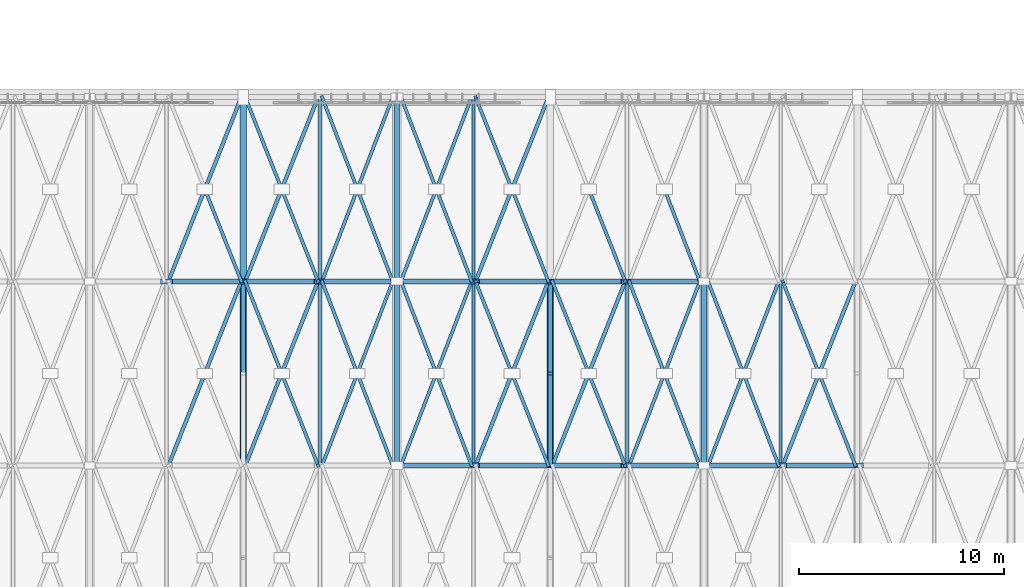
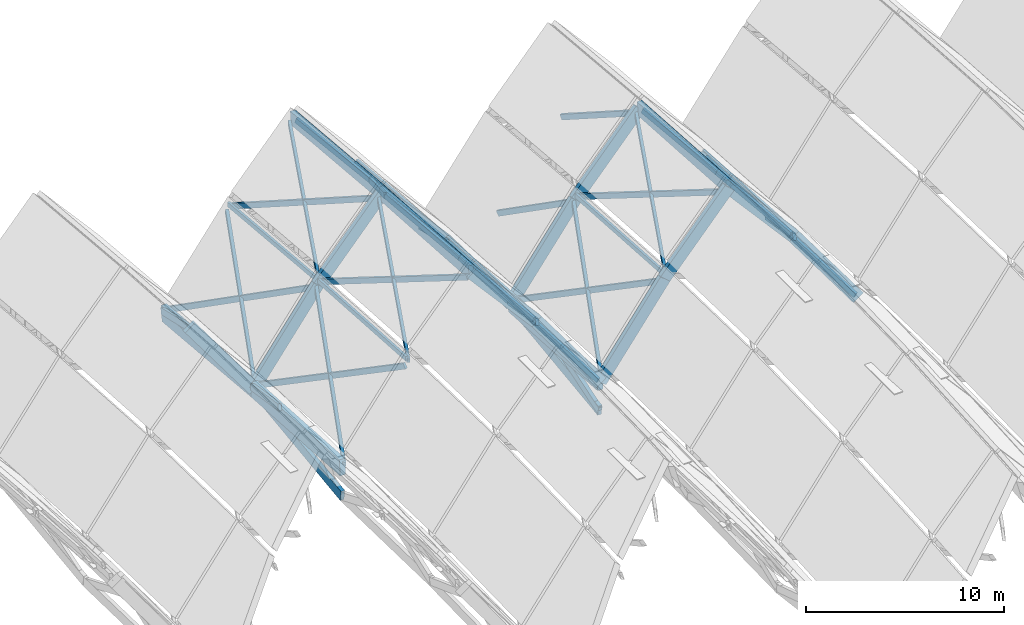
# One storey, part 38 of 93: 50 members, 19 beams.
"""IFC4 building model written with IfcOpenShell, lengths in metres."""

from ifc_helpers import new_model, si_unit, direction, frame, origin, origin_2d, place, context, subcontext, project, spatial, rectangle, extrude, material, material_profile, profile_set, type_object, element, save


model = new_model("IFC4")

# Units and contexts
model_context = context("Model", 3, precision=1e-05, world=origin(), true_north=direction((0.0, 1.0)))
body_context = subcontext(model_context, "Body", "Model", "MODEL_VIEW")
ifc_project = project(units=[si_unit("LENGTHUNIT", "METRE"), si_unit("AREAUNIT", "SQUARE_METRE"), si_unit("VOLUMEUNIT", "CUBIC_METRE"), si_unit("PLANEANGLEUNIT", "RADIAN"), si_unit("MASSUNIT", "GRAM", prefix="KILO")], contexts=[model_context])

# Site, building, storey
site_placement = place(None, origin())
site = spatial("IfcSite", under=ifc_project, at=site_placement, CompositionType="ELEMENT")
building_placement = place(site_placement, origin())
building = spatial("IfcBuilding", under=site, at=building_placement, Name="Vourika Railside Aquatics Centre", CompositionType="ELEMENT")
storey_placement = place(building_placement, frame((0.0, 0.0, 21.89990234375)))
storey = spatial("IfcBuildingStorey", under=building, at=storey_placement, Name="Roof", CompositionType="ELEMENT", Elevation=21.89990234375)

# Beams
ifc_material_1 = material(Name="Glulam GL32h", Category="wood")
ifc_material_profile_1 = material_profile(ifc_material_1, rectangle(XDim=0.239990234375, YDim=0.719970703125, at=origin_2d()), Name="GL32h 240x720")
ifc_profile_set_1 = profile_set([ifc_material_profile_1], Name="Glulam GL32h")
beam_type_1 = type_object("IfcBeamType", Name="BM-GL-ARCH-240x720", PredefinedType="BEAM", material=ifc_profile_set_1)
beam_1_placement = place(storey_placement, frame((62.25, 57.0, -5.7998046875), z_axis=(0.592383087934, 0.0, -0.805656426233), x_axis=(0.0, 1.0, 0.0)))
element("IfcBeam", 1, at=beam_1_placement, inside=storey, type_object=beam_type_1, Name="Pointed Glulam Vault Arch Rib GAR-0058", PredefinedType="BEAM", context=body_context, shape_type="SweptSolid", body=[
    extrude(rectangle(XDim=0.239990234375, YDim=0.719970703125, at=origin_2d()), origin(), (0.0, 0.0, 1.0), 6.330322265625),
])
beam_2_placement = place(storey_placement, frame((73.5, 48.0, -0.914306640625), z_axis=(0.657258623263, 0.0, -0.75366511273), x_axis=(0.0, 1.0, 0.0)))
element("IfcBeam", 2, at=beam_2_placement, inside=storey, type_object=beam_type_1, Name="Pointed Glulam Vault Arch Rib GAR-0087", PredefinedType="BEAM", context=body_context, shape_type="SweptSolid", body=[
    extrude(rectangle(XDim=0.239990234375, YDim=0.719970703125, at=origin_2d()), origin(), (0.0, 0.0, 1.0), 5.70556640625),
])
beam_3_placement = place(storey_placement, frame((77.25, 48.0, -5.21435546875), z_axis=(0.592401494544, 0.0, -0.805642891896), x_axis=(0.0, 1.0, 0.0)))
element("IfcBeam", 3, at=beam_3_placement, inside=storey, type_object=beam_type_1, Name="Pointed Glulam Vault Arch Rib GAR-0088", PredefinedType="BEAM", context=body_context, shape_type="SweptSolid", body=[
    extrude(rectangle(XDim=0.239990234375, YDim=0.719970703125, at=origin_2d()), origin(), (0.0, 0.0, 1.0), 6.330078125),
])
beam_4_placement = place(storey_placement, frame((66.0, 57.0, -10.89990234375), z_axis=(0.592383087934, 0.0, 0.805656426233), x_axis=(0.0, 1.0, 0.0)))
element("IfcBeam", 4, at=beam_4_placement, inside=storey, type_object=beam_type_1, Name="Pointed Glulam Vault Arch Rib GAR-0089", PredefinedType="BEAM", context=body_context, shape_type="SweptSolid", body=[
    extrude(rectangle(XDim=0.239990234375, YDim=0.719970703125, at=origin_2d()), origin(), (0.0, 0.0, 1.0), 6.330322265625),
])
for number, where, z_axis, x_axis, name in (
    (5, (69.75, 57.0, -5.7998046875), (0.657279819973, 0.0, 0.753646626912), (0.0, 1.0, 0.0), "Pointed Glulam Vault Arch Rib GAR-0090"),
    (6, (73.5, 57.0, -1.5), (0.657279819973, 0.0, -0.753646626912), (0.0, 1.0, 0.0), "Pointed Glulam Vault Arch Rib GAR-0091"),
):
    element("IfcBeam", number, at=place(storey_placement, frame(where, z_axis=z_axis, x_axis=x_axis)), inside=storey, type_object=beam_type_1, Name=name, PredefinedType="BEAM", context=body_context, shape_type="SweptSolid", body=[
        extrude(rectangle(XDim=0.239990234375, YDim=0.719970703125, at=origin_2d()), origin(), (0.0, 0.0, 1.0), 5.705322265625),
    ])
beam_5_placement = place(storey_placement, frame((77.25, 57.0, -5.7998046875), z_axis=(0.592383087934, 0.0, -0.805656426233), x_axis=(0.0, 1.0, 0.0)))
element("IfcBeam", 7, at=beam_5_placement, inside=storey, type_object=beam_type_1, Name="Pointed Glulam Vault Arch Rib GAR-0092", PredefinedType="BEAM", context=body_context, shape_type="SweptSolid", body=[
    extrude(rectangle(XDim=0.239990234375, YDim=0.719970703125, at=origin_2d()), origin(), (0.0, 0.0, 1.0), 6.330322265625),
])
beam_6_placement = place(storey_placement, frame((81.0, 48.0, -10.314208984375), z_axis=(0.592401494544, 0.0, 0.805642891896), x_axis=(0.0, 1.0, 0.0)))
element("IfcBeam", 8, at=beam_6_placement, inside=storey, type_object=beam_type_1, Name="Pointed Glulam Vault Arch Rib GAR-0119", PredefinedType="BEAM", context=body_context, shape_type="SweptSolid", body=[
    extrude(rectangle(XDim=0.239990234375, YDim=0.719970703125, at=origin_2d()), origin(), (0.0, 0.0, 1.0), 6.330078125),
])
for number, where, z_axis, x_axis, name in (
    (9, (84.75, 48.0, -5.21435546875), (0.657258623263, 0.0, 0.75366511273), (0.0, 1.0, 0.0), "Pointed Glulam Vault Arch Rib GAR-0120"),
    (10, (88.5, 48.0, -0.914306640625), (0.657258623263, 0.0, -0.75366511273), (0.0, 1.0, 0.0), "Pointed Glulam Vault Arch Rib GAR-0121"),
):
    element("IfcBeam", number, at=place(storey_placement, frame(where, z_axis=z_axis, x_axis=x_axis)), inside=storey, type_object=beam_type_1, Name=name, PredefinedType="BEAM", context=body_context, shape_type="SweptSolid", body=[
        extrude(rectangle(XDim=0.239990234375, YDim=0.719970703125, at=origin_2d()), origin(), (0.0, 0.0, 1.0), 5.70556640625),
    ])
beam_7_placement = place(storey_placement, frame((92.25, 48.0, -5.21435546875), z_axis=(0.592401494544, 0.0, -0.805642891896), x_axis=(0.0, 1.0, 0.0)))
element("IfcBeam", 11, at=beam_7_placement, inside=storey, type_object=beam_type_1, Name="Pointed Glulam Vault Arch Rib GAR-0122", PredefinedType="BEAM", context=body_context, shape_type="SweptSolid", body=[
    extrude(rectangle(XDim=0.239990234375, YDim=0.719970703125, at=origin_2d()), origin(), (0.0, 0.0, 1.0), 6.330078125),
])
beam_8_placement = place(storey_placement, frame((81.0, 57.0, -10.89990234375), z_axis=(0.592383087934, 0.0, 0.805656426233), x_axis=(0.0, 1.0, 0.0)))
element("IfcBeam", 12, at=beam_8_placement, inside=storey, type_object=beam_type_1, Name="Pointed Glulam Vault Arch Rib GAR-0123", PredefinedType="BEAM", context=body_context, shape_type="SweptSolid", body=[
    extrude(rectangle(XDim=0.239990234375, YDim=0.719970703125, at=origin_2d()), origin(), (0.0, 0.0, 1.0), 6.330322265625),
])
beam_9_placement = place(storey_placement, frame((84.75, 57.0, -5.7998046875), z_axis=(0.657279819973, 0.0, 0.753646626912), x_axis=(0.0, 1.0, 0.0)))
element("IfcBeam", 13, at=beam_9_placement, inside=storey, type_object=beam_type_1, Name="Pointed Glulam Vault Arch Rib GAR-0124", PredefinedType="BEAM", context=body_context, shape_type="SweptSolid", body=[
    extrude(rectangle(XDim=0.239990234375, YDim=0.719970703125, at=origin_2d()), origin(), (0.0, 0.0, 1.0), 5.705322265625),
])
ifc_material_profile_2 = material_profile(ifc_material_1, rectangle(XDim=0.280029296875, YDim=0.800048828125, at=origin_2d()), Name="GL32h 280x800")
ifc_profile_set_2 = profile_set([ifc_material_profile_2], Name="Glulam GL32h")
beam_type_2 = type_object("IfcBeamType", Name="BM-GL-RIDGE-280x800", PredefinedType="BEAM", material=ifc_profile_set_2)
beam_10_placement = place(storey_placement, frame((73.5, 48.0, -0.914306640625), z_axis=(0.0, 0.997889191565, -0.064939674766), x_axis=(-1.0, 0.0, 0.0)))
element("IfcBeam", 14, at=beam_10_placement, inside=storey, type_object=beam_type_2, Name="Vault Pointed Ridge Beam GRB-0101", PredefinedType="BEAM", context=body_context, shape_type="SweptSolid", body=[
    extrude(rectangle(XDim=0.280029296875, YDim=0.800048828125, at=origin_2d()), origin(), (0.0, 0.0, 1.0), 9.01904296875),
])
beam_11_placement = place(storey_placement, frame((73.5, 57.0, -1.5), z_axis=(0.0, 0.996074546839, -0.088518343518), x_axis=(-1.0, 0.0, 0.0)))
element("IfcBeam", 15, at=beam_11_placement, inside=storey, type_object=beam_type_2, Name="Vault Pointed Ridge Beam GRB-0102", PredefinedType="BEAM", context=body_context, shape_type="SweptSolid", body=[
    extrude(rectangle(XDim=0.280029296875, YDim=0.800048828125, at=origin_2d()), origin(), (0.0, 0.0, 1.0), 9.035400390625),
])
beam_12_placement = place(storey_placement, frame((88.5, 48.0, -0.914306640625), z_axis=(0.0, 0.997889191565, -0.064939674766), x_axis=(-1.0, 0.0, 0.0)))
element("IfcBeam", 16, at=beam_12_placement, inside=storey, type_object=beam_type_2, Name="Vault Pointed Ridge Beam GRB-0135", PredefinedType="BEAM", context=body_context, shape_type="SweptSolid", body=[
    extrude(rectangle(XDim=0.280029296875, YDim=0.800048828125, at=origin_2d()), origin(), (0.0, 0.0, 1.0), 9.01904296875),
])
ifc_material_profile_3 = material_profile(ifc_material_1, rectangle(XDim=0.320068359375, YDim=0.9599609375, at=origin_2d()), Name="GL32h 320x960")
ifc_profile_set_3 = profile_set([ifc_material_profile_3], Name="Glulam GL32h")
beam_type_3 = type_object("IfcBeamType", Name="BM-GL-VAL-320x960", PredefinedType="BEAM", material=ifc_profile_set_3)
beam_13_placement = place(storey_placement, frame((66.0, 48.0, -10.314208984375), z_axis=(0.0, 0.997889191565, -0.064939674766), x_axis=(-1.0, 0.0, 0.0)))
element("IfcBeam", 17, at=beam_13_placement, inside=storey, type_object=beam_type_3, Name="Vault Valley Arch Rib VTR-017", PredefinedType="BEAM", context=body_context, shape_type="SweptSolid", body=[
    extrude(rectangle(XDim=0.320068359375, YDim=0.9599609375, at=origin_2d()), origin(), (0.0, 0.0, 1.0), 9.01904296875),
])
beam_14_placement = place(storey_placement, frame((66.0, 57.0, -10.89990234375), z_axis=(0.0, 0.996072164085, -0.088545151956), x_axis=(-1.0, 0.0, 0.0)))
element("IfcBeam", 18, at=beam_14_placement, inside=storey, type_object=beam_type_3, Name="Vault Valley Arch Rib VTR-018", PredefinedType="BEAM", context=body_context, shape_type="SweptSolid", body=[
    extrude(rectangle(XDim=0.320068359375, YDim=0.9599609375, at=origin_2d()), origin(), (0.0, 0.0, 1.0), 9.035400390625),
])
beam_15_placement = place(storey_placement, frame((81.0, 48.0, -10.314208984375), z_axis=(0.0, 0.997889191565, -0.064939674766), x_axis=(-1.0, 0.0, 0.0)))
element("IfcBeam", 19, at=beam_15_placement, inside=storey, type_object=beam_type_3, Name="Vault Valley Arch Rib VTR-023", PredefinedType="BEAM", context=body_context, shape_type="SweptSolid", body=[
    extrude(rectangle(XDim=0.320068359375, YDim=0.9599609375, at=origin_2d()), origin(), (0.0, 0.0, 1.0), 9.01904296875),
])

# Members
ifc_material_profile_4 = material_profile(ifc_material_1, rectangle(XDim=0.219970703125, YDim=0.60009765625, at=origin_2d()), Name="GL32h 220x600")
ifc_profile_set_4 = profile_set([ifc_material_profile_4], Name="Glulam GL32h")
member_type_1 = type_object("IfcMemberType", Name="MEM-GL-CHORD", PredefinedType="CHORD", material=ifc_profile_set_4)
for number, where, z_axis, x_axis, name in (
    (20, (66.0, 48.0, -12.064208984375), (0.0, 0.991735627786, 0.128298264131), (-1.0, 0.0, 0.0), "Valley Arch Truss Bottom Chord VBC-017"),
    (21, (81.0, 48.0, -12.064208984375), (0.0, 0.991735627786, 0.128298264131), (-1.0, 0.0, 0.0), "Valley Arch Truss Bottom Chord VBC-023"),
):
    element("IfcMember", number, at=place(storey_placement, frame(where, z_axis=z_axis, x_axis=x_axis)), inside=storey, type_object=member_type_1, Name=name, PredefinedType="CHORD", context=body_context, shape_type="SweptSolid", body=[
        extrude(rectangle(XDim=0.219970703125, YDim=0.60009765625, at=origin_2d()), origin(), (0.0, 0.0, 1.0), 9.074951171875),
    ])
ifc_material_2 = material(Name="Glulam GL28h", Category="wood")
ifc_material_profile_5 = material_profile(ifc_material_2, rectangle(XDim=0.179931640625, YDim=0.360107421875, at=origin_2d()), Name="GL28h 180x360")
ifc_profile_set_5 = profile_set([ifc_material_profile_5], Name="Glulam GL28h")
member_type_2 = type_object("IfcMemberType", Name="MEM-GL-LATH1", PredefinedType="BRACE", material=ifc_profile_set_5)
member_1_placement = place(storey_placement, frame((62.344970703125, 48.0, -5.347900390625), z_axis=(0.321000574365, 0.811504949484, -0.488281013577), x_axis=(-0.929892910811, 0.367830360933, 0.0)))
element("IfcMember", 22, at=member_1_placement, inside=storey, type_object=member_type_2, Name="Gridshell Continuous Diagonal Lath GLA-0099", PredefinedType="BRACE", context=body_context, shape_type="SweptSolid", body=[
    extrude(rectangle(XDim=0.179931640625, YDim=0.360107421875, at=origin_2d()), origin(), (0.0, 0.0, 1.0), 11.090576171875),
])
member_2_placement = place(storey_placement, frame((62.344970703125, 57.0, -5.936767578125), z_axis=(0.318017835503, 0.80396444164, -0.502499584956), x_axis=(-0.929892910811, 0.367830360933, 0.0)))
element("IfcMember", 23, at=member_2_placement, inside=storey, type_object=member_type_2, Name="Gridshell Continuous Diagonal Lath GLA-0109", PredefinedType="BRACE", context=body_context, shape_type="SweptSolid", body=[
    extrude(rectangle(XDim=0.179931640625, YDim=0.360107421875, at=origin_2d()), origin(), (0.0, 0.0, 1.0), 11.194580078125),
])
member_3_placement = place(storey_placement, frame((66.094970703125, 48.0, -10.189453125), z_axis=(0.336558619113, 0.85083643773, 0.403491824121), x_axis=(-0.929892910811, 0.367830360933, 0.0)))
element("IfcMember", 24, at=member_3_placement, inside=storey, type_object=member_type_2, Name="Gridshell Continuous Diagonal Lath GLA-0153", PredefinedType="BRACE", context=body_context, shape_type="SweptSolid", body=[
    extrude(rectangle(XDim=0.179931640625, YDim=0.360107421875, at=origin_2d()), origin(), (0.0, 0.0, 1.0), 10.577880859375),
])
member_4_placement = place(storey_placement, frame((77.344970703125, 48.0, -5.347900390625), z_axis=(0.321000574365, 0.811504949484, -0.488281013577), x_axis=(-0.929892910811, 0.367830360933, 0.0)))
element("IfcMember", 25, at=member_4_placement, inside=storey, type_object=member_type_2, Name="Gridshell Continuous Diagonal Lath GLA-0159", PredefinedType="BRACE", context=body_context, shape_type="SweptSolid", body=[
    extrude(rectangle(XDim=0.179931640625, YDim=0.360107421875, at=origin_2d()), origin(), (0.0, 0.0, 1.0), 11.090576171875),
])
member_5_placement = place(storey_placement, frame((66.094970703125, 57.0, -10.7783203125), z_axis=(0.339219023139, 0.857562067548, 0.386675257346), x_axis=(-0.929892910811, 0.367830360933, 0.0)))
element("IfcMember", 26, at=member_5_placement, inside=storey, type_object=member_type_2, Name="Gridshell Continuous Diagonal Lath GLA-0163", PredefinedType="BRACE", context=body_context, shape_type="SweptSolid", body=[
    extrude(rectangle(XDim=0.179931640625, YDim=0.360107421875, at=origin_2d()), origin(), (0.0, 0.0, 1.0), 10.494873046875),
])
member_6_placement = place(storey_placement, frame((77.344970703125, 57.0, -5.936767578125), z_axis=(0.318017835503, 0.80396444164, -0.502499584956), x_axis=(-0.929892910811, 0.367830360933, 0.0)))
element("IfcMember", 27, at=member_6_placement, inside=storey, type_object=member_type_2, Name="Gridshell Continuous Diagonal Lath GLA-0169", PredefinedType="BRACE", context=body_context, shape_type="SweptSolid", body=[
    extrude(rectangle(XDim=0.179931640625, YDim=0.360107421875, at=origin_2d()), origin(), (0.0, 0.0, 1.0), 11.194580078125),
])
member_7_placement = place(storey_placement, frame((81.094970703125, 48.0, -10.189453125), z_axis=(0.336558619113, 0.85083643773, 0.403491824121), x_axis=(-0.929892910811, 0.367830360933, 0.0)))
element("IfcMember", 28, at=member_7_placement, inside=storey, type_object=member_type_2, Name="Gridshell Continuous Diagonal Lath GLA-0213", PredefinedType="BRACE", context=body_context, shape_type="SweptSolid", body=[
    extrude(rectangle(XDim=0.179931640625, YDim=0.360107421875, at=origin_2d()), origin(), (0.0, 0.0, 1.0), 10.577880859375),
])
member_8_placement = place(storey_placement, frame((92.344970703125, 48.0, -5.347900390625), z_axis=(0.321000574365, 0.811504949484, -0.488281013577), x_axis=(-0.929892910811, 0.367830360933, 0.0)))
element("IfcMember", 29, at=member_8_placement, inside=storey, type_object=member_type_2, Name="Gridshell Continuous Diagonal Lath GLA-0219", PredefinedType="BRACE", context=body_context, shape_type="SweptSolid", body=[
    extrude(rectangle(XDim=0.179931640625, YDim=0.360107421875, at=origin_2d()), origin(), (0.0, 0.0, 1.0), 11.090576171875),
])
ifc_material_profile_6 = material_profile(ifc_material_2, rectangle(XDim=0.159912109375, YDim=0.320068359375, at=origin_2d()), Name="GL28h 160x320")
ifc_profile_set_6 = profile_set([ifc_material_profile_6], Name="Glulam GL28h")
member_type_3 = type_object("IfcMemberType", Name="MEM-GL-LATH2", PredefinedType="BRACE", material=ifc_profile_set_6)
member_9_placement = place(storey_placement, frame((65.905029296875, 57.0, -10.7783203125), z_axis=(-0.339225125603, 0.857577494874, 0.386635686979), x_axis=(-0.929892910811, -0.367830360933, 0.0)))
element("IfcMember", 30, at=member_9_placement, inside=storey, type_object=member_type_3, Name="Gridshell Split Counter Lath GLB1-0110", PredefinedType="BRACE", context=body_context, shape_type="SweptSolid", body=[
    extrude(rectangle(XDim=0.159912109375, YDim=0.320068359375, at=origin_2d()), origin(), (0.0, 0.0, 1.0), 5.247314453125),
])
member_10_placement = place(storey_placement, frame((69.655029296875, 48.0, -5.347900390625), z_axis=(-0.321004024702, 0.811513672104, -0.488264248244), x_axis=(-0.929892910811, -0.367830360933, 0.0)))
element("IfcMember", 31, at=member_10_placement, inside=storey, type_object=member_type_3, Name="Gridshell Split Counter Lath GLB1-0154", PredefinedType="BRACE", context=body_context, shape_type="SweptSolid", body=[
    extrude(rectangle(XDim=0.159912109375, YDim=0.320068359375, at=origin_2d()), origin(), (0.0, 0.0, 1.0), 5.545166015625),
])
member_11_placement = place(storey_placement, frame((67.875, 52.5, -8.055419921875), z_axis=(-0.320997123983, 0.811496226753, -0.48829777837), x_axis=(-0.929892910811, -0.367830360933, 0.0)))
element("IfcMember", 32, at=member_11_placement, inside=storey, type_object=member_type_3, Name="Gridshell Split Counter Lath GLB2-0154", PredefinedType="BRACE", context=body_context, shape_type="SweptSolid", body=[
    extrude(rectangle(XDim=0.159912109375, YDim=0.320068359375, at=origin_2d()), origin(), (0.0, 0.0, 1.0), 5.54541015625),
])
member_12_placement = place(storey_placement, frame((69.844970703125, 48.0, -5.10986328125), z_axis=(0.338120523205, 0.8807571345, 0.331574097021), x_axis=(-0.933569951957, 0.358395235463, 0.0)))
element("IfcMember", 33, at=member_12_placement, inside=storey, type_object=member_type_3, Name="Gridshell Continuous Diagonal Lath GLA-0155", PredefinedType="BRACE", context=body_context, shape_type="SweptSolid", body=[
    extrude(rectangle(XDim=0.159912109375, YDim=0.320068359375, at=origin_2d()), origin(), (0.0, 0.0, 1.0), 10.218505859375),
])
member_13_placement = place(storey_placement, frame((73.300048828125, 48.0, -1.14794921875), z_axis=(-0.324295935921, 0.844745999277, -0.425718619102), x_axis=(-0.933569951957, -0.358395235463, 0.0)))
element("IfcMember", 34, at=member_13_placement, inside=storey, type_object=member_type_3, Name="Gridshell Split Counter Lath GLB1-0156", PredefinedType="BRACE", context=body_context, shape_type="SweptSolid", body=[
    extrude(rectangle(XDim=0.159912109375, YDim=0.320068359375, at=origin_2d()), origin(), (0.0, 0.0, 1.0), 5.3271484375),
])
member_14_placement = place(storey_placement, frame((71.572509765625, 52.5, -3.415771484375), z_axis=(-0.324302263056, 0.84476248059, -0.425681093735), x_axis=(-0.933569951957, -0.358395235463, 0.0)))
element("IfcMember", 35, at=member_14_placement, inside=storey, type_object=member_type_3, Name="Gridshell Split Counter Lath GLB2-0156", PredefinedType="BRACE", context=body_context, shape_type="SweptSolid", body=[
    extrude(rectangle(XDim=0.159912109375, YDim=0.320068359375, at=origin_2d()), origin(), (0.0, 0.0, 1.0), 5.326904296875),
])
member_15_placement = place(storey_placement, frame((73.699951171875, 48.0, -1.14794921875), z_axis=(0.324299099527, 0.844754240035, -0.425699856693), x_axis=(-0.933569951957, 0.358395235463, 0.0)))
element("IfcMember", 36, at=member_15_placement, inside=storey, type_object=member_type_3, Name="Gridshell Continuous Diagonal Lath GLA-0157", PredefinedType="BRACE", context=body_context, shape_type="SweptSolid", body=[
    extrude(rectangle(XDim=0.159912109375, YDim=0.320068359375, at=origin_2d()), origin(), (0.0, 0.0, 1.0), 10.654052734375),
])
for number, where, z_axis, x_axis, name in (
    (37, (77.155029296875, 48.0, -5.10986328125), (-0.338120523205, 0.8807571345, 0.331574097021), (-0.933569951957, -0.358395235463, 0.0), "Gridshell Split Counter Lath GLB1-0158"),
    (38, (75.427490234375, 52.5, -3.415771484375), (-0.338120523205, 0.8807571345, 0.331574097021), (-0.933569951957, -0.358395235463, 0.0), "Gridshell Split Counter Lath GLB2-0158"),
):
    element("IfcMember", number, at=place(storey_placement, frame(where, z_axis=z_axis, x_axis=x_axis)), inside=storey, type_object=member_type_3, Name=name, PredefinedType="BRACE", context=body_context, shape_type="SweptSolid", body=[
        extrude(rectangle(XDim=0.159912109375, YDim=0.320068359375, at=origin_2d()), origin(), (0.0, 0.0, 1.0), 5.109130859375),
    ])
for number, where, z_axis, x_axis, name in (
    (39, (80.905029296875, 48.0, -10.189453125), (-0.336558619113, 0.85083643773, 0.403491824121), (-0.929892910811, -0.367830360933, 0.0), "Gridshell Split Counter Lath GLB1-0160"),
    (40, (79.125, 52.5, -8.055419921875), (-0.336558619113, 0.85083643773, 0.403491824121), (-0.929892910811, -0.367830360933, 0.0), "Gridshell Split Counter Lath GLB2-0160"),
):
    element("IfcMember", number, at=place(storey_placement, frame(where, z_axis=z_axis, x_axis=x_axis)), inside=storey, type_object=member_type_3, Name=name, PredefinedType="BRACE", context=body_context, shape_type="SweptSolid", body=[
        extrude(rectangle(XDim=0.159912109375, YDim=0.320068359375, at=origin_2d()), origin(), (0.0, 0.0, 1.0), 5.288818359375),
    ])
member_16_placement = place(storey_placement, frame((69.655029296875, 57.0, -5.936767578125), z_axis=(-0.318014350334, 0.803955630964, -0.502515886737), x_axis=(-0.929892910811, -0.367830360933, 0.0)))
element("IfcMember", 41, at=member_16_placement, inside=storey, type_object=member_type_3, Name="Gridshell Split Counter Lath GLB1-0164", PredefinedType="BRACE", context=body_context, shape_type="SweptSolid", body=[
    extrude(rectangle(XDim=0.159912109375, YDim=0.320068359375, at=origin_2d()), origin(), (0.0, 0.0, 1.0), 5.597412109375),
])
member_17_placement = place(storey_placement, frame((67.875, 61.5, -8.74951171875), z_axis=(-0.318021320636, 0.803973252223, -0.502483282639), x_axis=(-0.929892910811, -0.367830360933, 0.0)))
element("IfcMember", 42, at=member_17_placement, inside=storey, type_object=member_type_3, Name="Gridshell Split Counter Lath GLB2-0164", PredefinedType="BRACE", context=body_context, shape_type="SweptSolid", body=[
    extrude(rectangle(XDim=0.159912109375, YDim=0.320068359375, at=origin_2d()), origin(), (0.0, 0.0, 1.0), 5.59716796875),
])
member_18_placement = place(storey_placement, frame((69.844970703125, 57.0, -5.698486328125), z_axis=(0.340377647674, 0.886636631138, 0.313079129436), x_axis=(-0.933569951957, 0.358395235463, 0.0)))
element("IfcMember", 43, at=member_18_placement, inside=storey, type_object=member_type_3, Name="Gridshell Continuous Diagonal Lath GLA-0165", PredefinedType="BRACE", context=body_context, shape_type="SweptSolid", body=[
    extrude(rectangle(XDim=0.159912109375, YDim=0.320068359375, at=origin_2d()), origin(), (0.0, 0.0, 1.0), 10.150634765625),
])
for number, where, z_axis, x_axis, name in (
    (44, (73.300048828125, 57.0, -1.73681640625), (-0.32154756466, 0.837586872782, -0.441650760448), (-0.933569951957, -0.358395235463, 0.0), "Gridshell Split Counter Lath GLB1-0166"),
    (45, (71.572509765625, 61.5, -4.109619140625), (-0.321554017818, 0.837603682367, -0.441614181057), (-0.933569951957, -0.358395235463, 0.0), "Gridshell Split Counter Lath GLB2-0166"),
):
    element("IfcMember", number, at=place(storey_placement, frame(where, z_axis=z_axis, x_axis=x_axis)), inside=storey, type_object=member_type_3, Name=name, PredefinedType="BRACE", context=body_context, shape_type="SweptSolid", body=[
        extrude(rectangle(XDim=0.159912109375, YDim=0.320068359375, at=origin_2d()), origin(), (0.0, 0.0, 1.0), 5.37255859375),
    ])
member_19_placement = place(storey_placement, frame((73.699951171875, 57.0, -1.73681640625), z_axis=(0.321550791273, 0.837595277664, -0.441632471028), x_axis=(-0.933569951957, 0.358395235463, 0.0)))
element("IfcMember", 46, at=member_19_placement, inside=storey, type_object=member_type_3, Name="Gridshell Continuous Diagonal Lath GLA-0167", PredefinedType="BRACE", context=body_context, shape_type="SweptSolid", body=[
    extrude(rectangle(XDim=0.159912109375, YDim=0.320068359375, at=origin_2d()), origin(), (0.0, 0.0, 1.0), 10.7451171875),
])
for number, where, z_axis, x_axis, name in (
    (47, (77.155029296875, 57.0, -5.698486328125), (-0.340380210662, 0.886643307367, 0.313057435131), (-0.933569951957, -0.358395235463, 0.0), "Gridshell Split Counter Lath GLB1-0168"),
    (48, (75.427490234375, 61.5, -4.109619140625), (-0.340375084547, 0.886629954547, 0.31310082325), (-0.933569951957, -0.358395235463, 0.0), "Gridshell Split Counter Lath GLB2-0168"),
):
    element("IfcMember", number, at=place(storey_placement, frame(where, z_axis=z_axis, x_axis=x_axis)), inside=storey, type_object=member_type_3, Name=name, PredefinedType="BRACE", context=body_context, shape_type="SweptSolid", body=[
        extrude(rectangle(XDim=0.159912109375, YDim=0.320068359375, at=origin_2d()), origin(), (0.0, 0.0, 1.0), 5.075439453125),
    ])
member_20_placement = place(storey_placement, frame((80.905029296875, 57.0, -10.7783203125), z_axis=(-0.339225125603, 0.857577494874, 0.386635686979), x_axis=(-0.929892910811, -0.367830360933, 0.0)))
element("IfcMember", 49, at=member_20_placement, inside=storey, type_object=member_type_3, Name="Gridshell Split Counter Lath GLB1-0170", PredefinedType="BRACE", context=body_context, shape_type="SweptSolid", body=[
    extrude(rectangle(XDim=0.159912109375, YDim=0.320068359375, at=origin_2d()), origin(), (0.0, 0.0, 1.0), 5.247314453125),
])
member_21_placement = place(storey_placement, frame((79.125, 61.5, -8.74951171875), z_axis=(-0.339212920269, 0.857546639199, 0.386714825576), x_axis=(-0.929892910811, -0.367830360933, 0.0)))
element("IfcMember", 50, at=member_21_placement, inside=storey, type_object=member_type_3, Name="Gridshell Split Counter Lath GLB2-0170", PredefinedType="BRACE", context=body_context, shape_type="SweptSolid", body=[
    extrude(rectangle(XDim=0.159912109375, YDim=0.320068359375, at=origin_2d()), origin(), (0.0, 0.0, 1.0), 5.24755859375),
])
member_22_placement = place(storey_placement, frame((84.655029296875, 48.0, -5.347900390625), z_axis=(-0.321004024702, 0.811513672104, -0.488264248244), x_axis=(-0.929892910811, -0.367830360933, 0.0)))
element("IfcMember", 51, at=member_22_placement, inside=storey, type_object=member_type_3, Name="Gridshell Split Counter Lath GLB1-0214", PredefinedType="BRACE", context=body_context, shape_type="SweptSolid", body=[
    extrude(rectangle(XDim=0.159912109375, YDim=0.320068359375, at=origin_2d()), origin(), (0.0, 0.0, 1.0), 5.545166015625),
])
member_23_placement = place(storey_placement, frame((82.875, 52.5, -8.055419921875), z_axis=(-0.320997123983, 0.811496226753, -0.48829777837), x_axis=(-0.929892910811, -0.367830360933, 0.0)))
element("IfcMember", 52, at=member_23_placement, inside=storey, type_object=member_type_3, Name="Gridshell Split Counter Lath GLB2-0214", PredefinedType="BRACE", context=body_context, shape_type="SweptSolid", body=[
    extrude(rectangle(XDim=0.159912109375, YDim=0.320068359375, at=origin_2d()), origin(), (0.0, 0.0, 1.0), 5.54541015625),
])
member_24_placement = place(storey_placement, frame((84.844970703125, 48.0, -5.10986328125), z_axis=(0.338120523205, 0.8807571345, 0.331574097021), x_axis=(-0.933569951957, 0.358395235463, 0.0)))
element("IfcMember", 53, at=member_24_placement, inside=storey, type_object=member_type_3, Name="Gridshell Continuous Diagonal Lath GLA-0215", PredefinedType="BRACE", context=body_context, shape_type="SweptSolid", body=[
    extrude(rectangle(XDim=0.159912109375, YDim=0.320068359375, at=origin_2d()), origin(), (0.0, 0.0, 1.0), 10.218505859375),
])
member_25_placement = place(storey_placement, frame((88.300048828125, 48.0, -1.14794921875), z_axis=(-0.324295935921, 0.844745999277, -0.425718619102), x_axis=(-0.933569951957, -0.358395235463, 0.0)))
element("IfcMember", 54, at=member_25_placement, inside=storey, type_object=member_type_3, Name="Gridshell Split Counter Lath GLB1-0216", PredefinedType="BRACE", context=body_context, shape_type="SweptSolid", body=[
    extrude(rectangle(XDim=0.159912109375, YDim=0.320068359375, at=origin_2d()), origin(), (0.0, 0.0, 1.0), 5.3271484375),
])
member_26_placement = place(storey_placement, frame((86.572509765625, 52.5, -3.415771484375), z_axis=(-0.324302263056, 0.84476248059, -0.425681093735), x_axis=(-0.933569951957, -0.358395235463, 0.0)))
element("IfcMember", 55, at=member_26_placement, inside=storey, type_object=member_type_3, Name="Gridshell Split Counter Lath GLB2-0216", PredefinedType="BRACE", context=body_context, shape_type="SweptSolid", body=[
    extrude(rectangle(XDim=0.159912109375, YDim=0.320068359375, at=origin_2d()), origin(), (0.0, 0.0, 1.0), 5.326904296875),
])
member_27_placement = place(storey_placement, frame((88.699951171875, 48.0, -1.14794921875), z_axis=(0.324299099527, 0.844754240035, -0.425699856693), x_axis=(-0.933569951957, 0.358395235463, 0.0)))
element("IfcMember", 56, at=member_27_placement, inside=storey, type_object=member_type_3, Name="Gridshell Continuous Diagonal Lath GLA-0217", PredefinedType="BRACE", context=body_context, shape_type="SweptSolid", body=[
    extrude(rectangle(XDim=0.159912109375, YDim=0.320068359375, at=origin_2d()), origin(), (0.0, 0.0, 1.0), 10.654052734375),
])
for number, where, z_axis, x_axis, name in (
    (57, (92.155029296875, 48.0, -5.10986328125), (-0.338120523205, 0.8807571345, 0.331574097021), (-0.933569951957, -0.358395235463, 0.0), "Gridshell Split Counter Lath GLB1-0218"),
    (58, (90.427490234375, 52.5, -3.415771484375), (-0.338120523205, 0.8807571345, 0.331574097021), (-0.933569951957, -0.358395235463, 0.0), "Gridshell Split Counter Lath GLB2-0218"),
):
    element("IfcMember", number, at=place(storey_placement, frame(where, z_axis=z_axis, x_axis=x_axis)), inside=storey, type_object=member_type_3, Name=name, PredefinedType="BRACE", context=body_context, shape_type="SweptSolid", body=[
        extrude(rectangle(XDim=0.159912109375, YDim=0.320068359375, at=origin_2d()), origin(), (0.0, 0.0, 1.0), 5.109130859375),
    ])
for number, where, z_axis, x_axis, name in (
    (59, (95.905029296875, 48.0, -10.189453125), (-0.336558619113, 0.85083643773, 0.403491824121), (-0.929892910811, -0.367830360933, 0.0), "Gridshell Split Counter Lath GLB1-0220"),
    (60, (94.125, 52.5, -8.055419921875), (-0.336558619113, 0.85083643773, 0.403491824121), (-0.929892910811, -0.367830360933, 0.0), "Gridshell Split Counter Lath GLB2-0220"),
):
    element("IfcMember", number, at=place(storey_placement, frame(where, z_axis=z_axis, x_axis=x_axis)), inside=storey, type_object=member_type_3, Name=name, PredefinedType="BRACE", context=body_context, shape_type="SweptSolid", body=[
        extrude(rectangle(XDim=0.159912109375, YDim=0.320068359375, at=origin_2d()), origin(), (0.0, 0.0, 1.0), 5.288818359375),
    ])
member_28_placement = place(storey_placement, frame((84.655029296875, 57.0, -5.936767578125), z_axis=(-0.318014350334, 0.803955630964, -0.502515886737), x_axis=(-0.929892910811, -0.367830360933, 0.0)))
element("IfcMember", 61, at=member_28_placement, inside=storey, type_object=member_type_3, Name="Gridshell Split Counter Lath GLB1-0224", PredefinedType="BRACE", context=body_context, shape_type="SweptSolid", body=[
    extrude(rectangle(XDim=0.159912109375, YDim=0.320068359375, at=origin_2d()), origin(), (0.0, 0.0, 1.0), 5.597412109375),
])
member_29_placement = place(storey_placement, frame((88.300048828125, 57.0, -1.73681640625), z_axis=(-0.32154756466, 0.837586872782, -0.441650760448), x_axis=(-0.933569951957, -0.358395235463, 0.0)))
element("IfcMember", 62, at=member_29_placement, inside=storey, type_object=member_type_3, Name="Gridshell Split Counter Lath GLB1-0226", PredefinedType="BRACE", context=body_context, shape_type="SweptSolid", body=[
    extrude(rectangle(XDim=0.159912109375, YDim=0.320068359375, at=origin_2d()), origin(), (0.0, 0.0, 1.0), 5.37255859375),
])
ifc_material_profile_7 = material_profile(ifc_material_2, rectangle(XDim=0.139892578125, YDim=0.280029296875, at=origin_2d()), Name="GL28h 140x280")
ifc_profile_set_7 = profile_set([ifc_material_profile_7], Name="Glulam GL28h")
member_type_4 = type_object("IfcMemberType", Name="MEM-GL-PURLIN", PredefinedType="PURLIN", material=ifc_profile_set_7)
for number, where, z_axis, x_axis, name in (
    (63, (69.75, 48.0, -4.9443359375), (0.0, 0.997890945376, -0.064912719374), (-1.0, 0.0, 0.0), "Vault Timber Purlin GTP-0151"),
    (64, (77.25, 48.0, -4.9443359375), (0.0, 0.997890945376, -0.064912719374), (-1.0, 0.0, 0.0), "Vault Timber Purlin GTP-0152"),
):
    element("IfcMember", number, at=place(storey_placement, frame(where, z_axis=z_axis, x_axis=x_axis)), inside=storey, type_object=member_type_4, Name=name, PredefinedType="PURLIN", context=body_context, shape_type="SweptSolid", body=[
        extrude(rectangle(XDim=0.139892578125, YDim=0.280029296875, at=origin_2d()), origin(), (0.0, 0.0, 1.0), 9.01904296875),
    ])
for number, where, z_axis, x_axis, name in (
    (65, (69.75, 57.0, -5.52978515625), (0.0, 0.996072164085, -0.088545151956), (-1.0, 0.0, 0.0), "Vault Timber Purlin GTP-0161"),
    (66, (77.25, 57.0, -5.52978515625), (0.0, 0.996072164085, -0.088545151956), (-1.0, 0.0, 0.0), "Vault Timber Purlin GTP-0162"),
):
    element("IfcMember", number, at=place(storey_placement, frame(where, z_axis=z_axis, x_axis=x_axis)), inside=storey, type_object=member_type_4, Name=name, PredefinedType="PURLIN", context=body_context, shape_type="SweptSolid", body=[
        extrude(rectangle(XDim=0.139892578125, YDim=0.280029296875, at=origin_2d()), origin(), (0.0, 0.0, 1.0), 9.035400390625),
    ])
for number, where, z_axis, x_axis, name in (
    (67, (84.75, 48.0, -4.9443359375), (0.0, 0.997890945376, -0.064912719374), (-1.0, 0.0, 0.0), "Vault Timber Purlin GTP-0211"),
    (68, (92.25, 48.0, -4.9443359375), (0.0, 0.997890945376, -0.064912719374), (-1.0, 0.0, 0.0), "Vault Timber Purlin GTP-0212"),
):
    element("IfcMember", number, at=place(storey_placement, frame(where, z_axis=z_axis, x_axis=x_axis)), inside=storey, type_object=member_type_4, Name=name, PredefinedType="PURLIN", context=body_context, shape_type="SweptSolid", body=[
        extrude(rectangle(XDim=0.139892578125, YDim=0.280029296875, at=origin_2d()), origin(), (0.0, 0.0, 1.0), 9.01904296875),
    ])
ifc_material_profile_8 = material_profile(ifc_material_2, rectangle(XDim=0.219970703125, YDim=0.43994140625, at=origin_2d()), Name="GL28h 220x440")
ifc_profile_set_8 = profile_set([ifc_material_profile_8], Name="Glulam GL28h")
member_type_5 = type_object("IfcMemberType", Name="MEM-GL-STRUT2", PredefinedType="STRUT", material=ifc_profile_set_8)
member_30_placement = place(storey_placement, frame((81.0, 48.0, -12.064208984375), z_axis=(0.0, 0.95137335537, 0.308040157598), x_axis=(-1.0, 0.0, 0.0)))
element("IfcMember", 69, at=member_30_placement, inside=storey, type_object=member_type_5, Name="Valley Truss Web Strut VWA-023", PredefinedType="STRUT", context=body_context, shape_type="SweptSolid", body=[
    extrude(rectangle(XDim=0.219970703125, YDim=0.43994140625, at=origin_2d()), origin(), (0.0, 0.0, 1.0), 4.72998046875),
])

save(model, "model.ifc")
